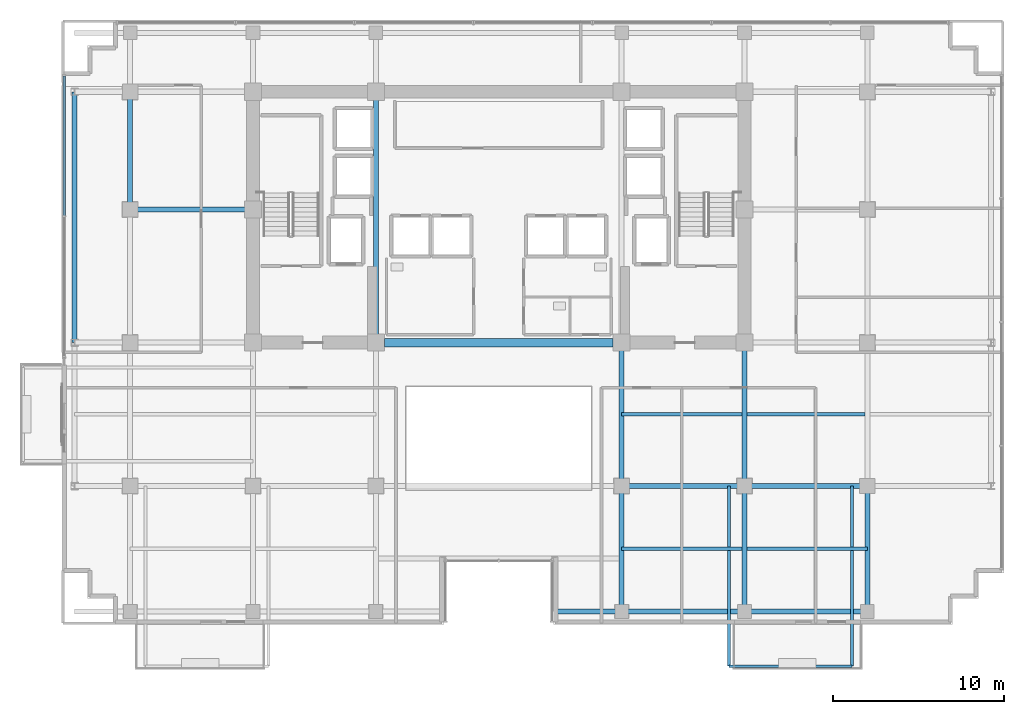
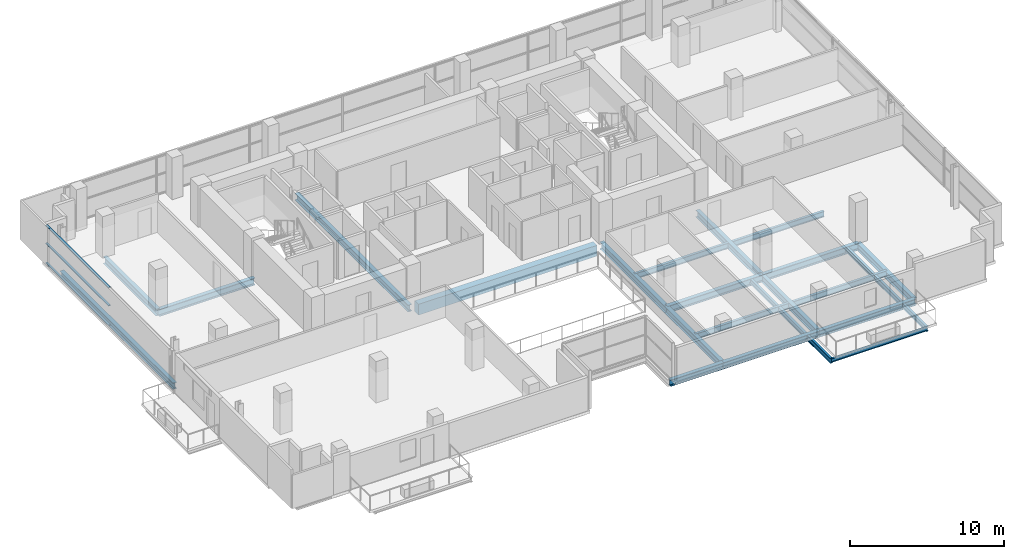
# One storey, part 6 of 23: 22 beams, 3 members, 1 element without a shape of its own.
"""IFC4 building model written with IfcOpenShell, lengths in metres."""

from ifc_helpers import new_model, si_unit, direction, frame, origin, origin_2d, place, context, subcontext, project, spatial, rectangle, hollow_rectangle, i_section, extrude, source, transform, mapped, material, layer, layer_set, material_profile, profile_set, type_object, element, aggregate, save


model = new_model("IFC4")

# Units and contexts
model_context = context("Model", 3, precision=1e-05, world=origin(), true_north=direction((0.0, 1.0)))
body_context = subcontext(model_context, "Body", "Model", "MODEL_VIEW")
ifc_project = project(units=[si_unit("LENGTHUNIT", "METRE"), si_unit("AREAUNIT", "SQUARE_METRE"), si_unit("VOLUMEUNIT", "CUBIC_METRE"), si_unit("PLANEANGLEUNIT", "RADIAN"), si_unit("MASSUNIT", "GRAM", prefix="KILO")], contexts=[model_context])

# Site, building, storey
site_placement = place(None, origin())
site = spatial("IfcSite", under=ifc_project, at=site_placement, CompositionType="ELEMENT")
building_placement = place(site_placement, origin())
building = spatial("IfcBuilding", under=site, at=building_placement, Name="Zarnakvel Exchange Tower", CompositionType="ELEMENT")
storey_placement = place(building_placement, frame((0.0, 0.0, 129.699951171875)))
storey = spatial("IfcBuildingStorey", under=building, at=storey_placement, Name="L36", CompositionType="ELEMENT", Elevation=129.699951171875)

# Beams
ifc_material_1 = material(Name="Steel S355", Category="steel")
ifc_material_profile_1 = material_profile(ifc_material_1, i_section(OverallWidth=0.18994140625, OverallDepth=0.449951171875, WebThickness=0.009521484375, FlangeThickness=0.0146484375, FilletRadius=0.02099609375, at=origin_2d()))
ifc_profile_set_1 = profile_set([ifc_material_profile_1], Name="Steel S355")
beam_type_1 = type_object("IfcBeamType", Name="B-05", PredefinedType="JOIST", material=ifc_profile_set_1)
for number, where, z_axis, x_axis, name in (
    (1, (7.199951171875, -13.27490234375, -0.449951171875), (1.0, 0.0, 0.0), (0.0, 1.0, 0.0), "L36 Composite Floor Secondary Joist"),
    (2, (14.550048828125, -13.27490234375, -0.449951171875), (1.0, 0.0, 0.0), (0.0, 1.0, 0.0), "L36 Composite Floor Secondary Joist"),
    (3, (7.199951171875, -5.39990234375, -0.449951171875), (1.0, 0.0, 0.0), (0.0, 1.0, 0.0), "L36 Composite Floor Secondary Joist"),
):
    element("IfcBeam", number, at=place(storey_placement, frame(where, z_axis=z_axis, x_axis=x_axis)), inside=storey, type_object=beam_type_1, Name=name, PredefinedType="JOIST", context=body_context, shape_type="SweptSolid", body=[
        extrude(i_section(OverallWidth=0.18994140625, OverallDepth=0.449951171875, WebThickness=0.009521484375, FlangeThickness=0.0146484375, FilletRadius=0.02099609375, at=origin_2d()), origin(), (0.0, 0.0, 1.0), 7.050048828125),
    ])
beam_1_placement = place(storey_placement, frame((14.550048828125, -5.39990234375, -0.449951171875), z_axis=(1.0, 0.0, 0.0), x_axis=(0.0, 1.0, 0.0)))
element("IfcBeam", 4, at=beam_1_placement, inside=storey, type_object=beam_type_1, Name="L36 Composite Floor Secondary Joist", PredefinedType="JOIST", context=body_context, shape_type="SweptSolid", body=[
    extrude(i_section(OverallWidth=0.18994140625, OverallDepth=0.449951171875, WebThickness=0.009521484375, FlangeThickness=0.0146484375, FilletRadius=0.02099609375, at=origin_2d()), origin(), (0.0, 0.0, 1.0), 6.89990234375),
])
ifc_material_profile_2 = material_profile(ifc_material_1, i_section(OverallWidth=0.179931640625, OverallDepth=0.39990234375, WebThickness=0.008544921875, FlangeThickness=0.013427734375, FilletRadius=0.02099609375, at=origin_2d()))
ifc_profile_set_2 = profile_set([ifc_material_profile_2], Name="Steel S355")
beam_type_2 = type_object("IfcBeamType", Name="B-06", PredefinedType="JOIST", material=ifc_profile_set_2)
for number, where, z_axis, x_axis, name in (
    (5, (13.5, -9.60009765625, -0.425048828125), (0.0, -1.0, 0.0), (1.0, 0.0, 0.0), "L36 Continuous Back-Spanned Balcony Beam W"),
    (6, (20.699951171875, -9.60009765625, -0.425048828125), (0.0, -1.0, 0.0), (1.0, 0.0, 0.0), "L36 Continuous Back-Spanned Balcony Beam E"),
):
    element("IfcBeam", number, at=place(storey_placement, frame(where, z_axis=z_axis, x_axis=x_axis)), inside=storey, type_object=beam_type_2, Name=name, PredefinedType="JOIST", context=body_context, shape_type="SweptSolid", body=[
        extrude(i_section(OverallWidth=0.179931640625, OverallDepth=0.39990234375, WebThickness=0.008544921875, FlangeThickness=0.013427734375, FilletRadius=0.02099609375, at=origin_2d()), origin(), (0.0, 0.0, 1.0), 10.5498046875),
    ])
ifc_material_profile_3 = material_profile(ifc_material_1, i_section(OverallWidth=0.14990234375, OverallDepth=0.300048828125, WebThickness=0.007080078125, FlangeThickness=0.0107421875, FilletRadius=0.014892578125, at=origin_2d()))
ifc_profile_set_3 = profile_set([ifc_material_profile_3], Name="Steel S355")
beam_type_3 = type_object("IfcBeamType", Name="B-08", PredefinedType="JOIST", material=ifc_profile_set_3)
beam_2_placement = place(storey_placement, frame((13.5, -20.14990234375, -0.375), z_axis=(1.0, 0.0, 0.0), x_axis=(0.0, 1.0, 0.0)))
element("IfcBeam", 7, at=beam_2_placement, inside=storey, type_object=beam_type_3, Name="L36 Balcony Edge Beam", PredefinedType="JOIST", context=body_context, shape_type="SweptSolid", body=[
    extrude(i_section(OverallWidth=0.14990234375, OverallDepth=0.300048828125, WebThickness=0.007080078125, FlangeThickness=0.0107421875, FilletRadius=0.014892578125, at=origin_2d()), origin(), (0.0, 0.0, 1.0), 7.199951171875),
])
ifc_material_2 = material(Name="Concrete C60/75", Category="concrete")
ifc_material_profile_4 = material_profile(ifc_material_2, rectangle(XDim=0.5, YDim=0.85009765625, at=origin_2d()))
ifc_profile_set_4 = profile_set([ifc_material_profile_4], Name="Concrete C60/75")
beam_type_4 = type_object("IfcBeamType", Name="CB-02", PredefinedType="LINTEL", material=ifc_profile_set_4)
beam_3_placement = place(storey_placement, frame((-6.699951171875, -1.199951171875, -0.64990234375), z_axis=(1.0, 0.0, 0.0), x_axis=(0.0, 1.0, 0.0)))
element("IfcBeam", 8, at=beam_3_placement, inside=storey, type_object=beam_type_4, Name="L36 Rear Core South Coupling Beam (CB-02)", PredefinedType="LINTEL", context=body_context, shape_type="SweptSolid", body=[
    extrude(rectangle(XDim=0.5, YDim=0.85009765625, at=origin_2d()), origin(), (0.0, 0.0, 1.0), 13.39990234375),
])
ifc_material_profile_5 = material_profile(ifc_material_1, i_section(OverallWidth=0.300048828125, OverallDepth=0.550048828125, WebThickness=0.014892578125, FlangeThickness=0.029052734375, FilletRadius=0.027099609375, at=origin_2d()))
ifc_profile_set_5 = profile_set([ifc_material_profile_5], Name="Steel S355")
beam_type_5 = type_object("IfcBeamType", Name="G-05", PredefinedType="BEAM", material=ifc_profile_set_5)
beam_4_placement = place(storey_placement, frame((7.199951171875, -9.60009765625, -0.5), z_axis=(1.0, 0.0, 0.0), x_axis=(0.0, 1.0, 0.0)))
element("IfcBeam", 9, at=beam_4_placement, inside=storey, type_object=beam_type_5, Name="L36 Tower E-W Frame Beam", PredefinedType="BEAM", context=body_context, shape_type="SweptSolid", body=[
    extrude(i_section(OverallWidth=0.300048828125, OverallDepth=0.550048828125, WebThickness=0.014892578125, FlangeThickness=0.029052734375, FilletRadius=0.027099609375, at=origin_2d()), origin(), (0.0, 0.0, 1.0), 7.199951171875),
])
for number, where, z_axis, x_axis, name in (
    (10, (14.39990234375, -9.60009765625, -0.5), (1.0, 0.0, 0.0), (0.0, 1.0, 0.0), "L36 Tower E-W Frame Beam"),
    (11, (-21.60009765625, 6.60009765625, -0.5), (1.0, 0.0, 0.0), (0.0, 1.0, 0.0), "L36 Tower E-W Frame Beam"),
):
    element("IfcBeam", number, at=place(storey_placement, frame(where, z_axis=z_axis, x_axis=x_axis)), inside=storey, type_object=beam_type_5, Name=name, PredefinedType="BEAM", context=body_context, shape_type="SweptSolid", body=[
        extrude(i_section(OverallWidth=0.300048828125, OverallDepth=0.550048828125, WebThickness=0.014892578125, FlangeThickness=0.029052734375, FilletRadius=0.027099609375, at=origin_2d()), origin(), (0.0, 0.0, 1.0), 7.2001953125),
    ])
beam_5_placement = place(storey_placement, frame((-21.60009765625, 6.60009765625, -0.5), z_axis=(0.0, 1.0, 0.0), x_axis=(-1.0, 0.0, 0.0)))
element("IfcBeam", 12, at=beam_5_placement, inside=storey, type_object=beam_type_5, Name="L36 Tower N-S Frame Beam", PredefinedType="BEAM", context=body_context, shape_type="SweptSolid", body=[
    extrude(i_section(OverallWidth=0.300048828125, OverallDepth=0.550048828125, WebThickness=0.014892578125, FlangeThickness=0.029052734375, FilletRadius=0.027099609375, at=origin_2d()), origin(), (0.0, 0.0, 1.0), 6.89990234375),
])
beam_6_placement = place(storey_placement, frame((-7.199951171875, -1.199951171875, -0.5), z_axis=(0.0, 1.0, 0.0), x_axis=(-1.0, 0.0, 0.0)))
element("IfcBeam", 13, at=beam_6_placement, inside=storey, type_object=beam_type_5, Name="L36 Tower N-S Frame Beam", PredefinedType="BEAM", context=body_context, shape_type="SweptSolid", body=[
    extrude(i_section(OverallWidth=0.300048828125, OverallDepth=0.550048828125, WebThickness=0.014892578125, FlangeThickness=0.029052734375, FilletRadius=0.027099609375, at=origin_2d()), origin(), (0.0, 0.0, 1.0), 14.699951171875),
])
beam_7_placement = place(storey_placement, frame((7.199951171875, -16.949951171875, -0.5), z_axis=(0.0, 1.0, 0.0), x_axis=(-1.0, 0.0, 0.0)))
element("IfcBeam", 14, at=beam_7_placement, inside=storey, type_object=beam_type_5, Name="L36 Tower N-S Frame Beam", PredefinedType="BEAM", context=body_context, shape_type="SweptSolid", body=[
    extrude(i_section(OverallWidth=0.300048828125, OverallDepth=0.550048828125, WebThickness=0.014892578125, FlangeThickness=0.029052734375, FilletRadius=0.027099609375, at=origin_2d()), origin(), (0.0, 0.0, 1.0), 7.349853515625),
])
beam_8_placement = place(storey_placement, frame((7.199951171875, -9.60009765625, -0.5), z_axis=(0.0, 1.0, 0.0), x_axis=(-1.0, 0.0, 0.0)))
element("IfcBeam", 15, at=beam_8_placement, inside=storey, type_object=beam_type_5, Name="L36 Tower N-S Frame Beam", PredefinedType="BEAM", context=body_context, shape_type="SweptSolid", body=[
    extrude(i_section(OverallWidth=0.300048828125, OverallDepth=0.550048828125, WebThickness=0.014892578125, FlangeThickness=0.029052734375, FilletRadius=0.027099609375, at=origin_2d()), origin(), (0.0, 0.0, 1.0), 8.400146484375),
])
beam_9_placement = place(storey_placement, frame((14.39990234375, -16.949951171875, -0.5), z_axis=(0.0, 1.0, 0.0), x_axis=(-1.0, 0.0, 0.0)))
element("IfcBeam", 16, at=beam_9_placement, inside=storey, type_object=beam_type_5, Name="L36 Tower N-S Frame Beam", PredefinedType="BEAM", context=body_context, shape_type="SweptSolid", body=[
    extrude(i_section(OverallWidth=0.300048828125, OverallDepth=0.550048828125, WebThickness=0.014892578125, FlangeThickness=0.029052734375, FilletRadius=0.027099609375, at=origin_2d()), origin(), (0.0, 0.0, 1.0), 7.349853515625),
])
beam_10_placement = place(storey_placement, frame((14.39990234375, -9.60009765625, -0.5), z_axis=(0.0, 1.0, 0.0), x_axis=(-1.0, 0.0, 0.0)))
element("IfcBeam", 17, at=beam_10_placement, inside=storey, type_object=beam_type_5, Name="L36 Tower N-S Frame Beam", PredefinedType="BEAM", context=body_context, shape_type="SweptSolid", body=[
    extrude(i_section(OverallWidth=0.300048828125, OverallDepth=0.550048828125, WebThickness=0.014892578125, FlangeThickness=0.029052734375, FilletRadius=0.027099609375, at=origin_2d()), origin(), (0.0, 0.0, 1.0), 8.400146484375),
])
beam_11_placement = place(storey_placement, frame((21.60009765625, -16.949951171875, -0.5), z_axis=(0.0, 1.0, 0.0), x_axis=(-1.0, 0.0, 0.0)))
element("IfcBeam", 18, at=beam_11_placement, inside=storey, type_object=beam_type_5, Name="L36 Tower N-S Frame Beam", PredefinedType="BEAM", context=body_context, shape_type="SweptSolid", body=[
    extrude(i_section(OverallWidth=0.300048828125, OverallDepth=0.550048828125, WebThickness=0.014892578125, FlangeThickness=0.029052734375, FilletRadius=0.027099609375, at=origin_2d()), origin(), (0.0, 0.0, 1.0), 7.349853515625),
])
ifc_material_profile_6 = material_profile(ifc_material_1, i_section(OverallWidth=0.300048828125, OverallDepth=0.5, WebThickness=0.014404296875, FlangeThickness=0.028076171875, FilletRadius=0.027099609375, at=origin_2d()))
ifc_profile_set_6 = profile_set([ifc_material_profile_6], Name="Steel S355")
beam_type_6 = type_object("IfcBeamType", Name="SP-02", PredefinedType="SPANDREL", material=ifc_profile_set_6)
beam_12_placement = place(storey_placement, frame((3.199951171875, -16.949951171875, -0.474853515625), z_axis=(1.0, 0.0, 0.0), x_axis=(0.0, 1.0, 0.0)))
element("IfcBeam", 19, at=beam_12_placement, inside=storey, type_object=beam_type_6, Name="L36 South Slot East Jamb Spandrel", PredefinedType="SPANDREL", context=body_context, shape_type="SweptSolid", body=[
    extrude(i_section(OverallWidth=0.300048828125, OverallDepth=0.5, WebThickness=0.014404296875, FlangeThickness=0.028076171875, FilletRadius=0.027099609375, at=origin_2d()), origin(), (0.0, 0.0, 1.0), 4.0),
])
beam_13_placement = place(storey_placement, frame((7.199951171875, -16.949951171875, -0.474853515625), z_axis=(1.0, 0.0, 0.0), x_axis=(0.0, 1.0, 0.0)))
element("IfcBeam", 20, at=beam_13_placement, inside=storey, type_object=beam_type_6, Name="L36 Tower E-W Frame Beam", PredefinedType="SPANDREL", context=body_context, shape_type="SweptSolid", body=[
    extrude(i_section(OverallWidth=0.300048828125, OverallDepth=0.5, WebThickness=0.014404296875, FlangeThickness=0.028076171875, FilletRadius=0.027099609375, at=origin_2d()), origin(), (0.0, 0.0, 1.0), 7.199951171875),
])
beam_14_placement = place(storey_placement, frame((14.39990234375, -16.949951171875, -0.474853515625), z_axis=(1.0, 0.0, 0.0), x_axis=(0.0, 1.0, 0.0)))
element("IfcBeam", 21, at=beam_14_placement, inside=storey, type_object=beam_type_6, Name="L36 Tower E-W Frame Beam", PredefinedType="SPANDREL", context=body_context, shape_type="SweptSolid", body=[
    extrude(i_section(OverallWidth=0.300048828125, OverallDepth=0.5, WebThickness=0.014404296875, FlangeThickness=0.028076171875, FilletRadius=0.027099609375, at=origin_2d()), origin(), (0.0, 0.0, 1.0), 7.2001953125),
])
beam_15_placement = place(storey_placement, frame((-24.85009765625, -1.199951171875, -0.474853515625), z_axis=(0.0, 1.0, 0.0), x_axis=(-1.0, 0.0, 0.0)))
element("IfcBeam", 22, at=beam_15_placement, inside=storey, type_object=beam_type_6, Name="L36 Tower N-S Frame Beam", PredefinedType="SPANDREL", context=body_context, shape_type="SweptSolid", body=[
    extrude(i_section(OverallWidth=0.300048828125, OverallDepth=0.5, WebThickness=0.014404296875, FlangeThickness=0.028076171875, FilletRadius=0.027099609375, at=origin_2d()), origin(), (0.0, 0.0, 1.0), 14.699951171875),
])

# Curtain wall, members
ifc_material_3 = material(Name="Architectural Bronze Anodised Aluminium", Category="aluminium")
ifc_layer = layer(ifc_material_3, 0.199951171875)
ifc_layer_set = layer_set([ifc_layer], Name="Architectural Bronze Anodised Aluminium")
curtain_wall_type = type_object("IfcCurtainWallType", Name="CW-04", PredefinedType="NOTDEFINED", material=ifc_layer_set)
curtain_wall_placement = place(storey_placement, origin())
curtain_wall = element("IfcCurtainWall", 23, at=curtain_wall_placement, inside=storey, type_object=curtain_wall_type, Name="L36 Curtain Wall CW-L36-WN (CW-04)", PredefinedType="NOTDEFINED")
ifc_material_profile_7 = material_profile(ifc_material_3, hollow_rectangle(XDim=0.159912109375, YDim=0.074951171875, WallThickness=0.00390625, at=origin_2d()))
ifc_profile_set_7 = profile_set([ifc_material_profile_7], Name="Architectural Bronze Anodised Aluminium")
member_type = type_object("IfcMemberType", Name="CWT-04", PredefinedType="USERDEFINED", material=ifc_profile_set_7)
shared_shape = source(origin(), body_context, "Body", "SweptSolid", [
    extrude(hollow_rectangle(XDim=0.159912109375, YDim=0.074951171875, WallThickness=0.00390625, at=origin_2d()), origin(), (0.0, 0.0, 1.0), 8.1875),
])
member_1_placement = place(storey_placement, frame((-25.4599609375, 6.237548828125, 0.03759765625), z_axis=(0.0, 1.0, 0.0), x_axis=(-1.0, 0.0, 0.0)))
member_1 = element("IfcMember", 24, at=member_1_placement, type_object=member_type, Name="CW-04 transom 2.1", ObjectType="TRANSOM", PredefinedType="USERDEFINED", context=body_context, shape_type="MappedRepresentation", body=[
    mapped(shared_shape, transform((0.0, 0.0, 0.0), x_axis=(1.0, 0.0, 0.0), y_axis=(0.0, 1.0, 0.0), z_axis=(0.0, 0.0, 1.0), scale=1.0)),
])
member_2_placement = place(storey_placement, frame((-25.4599609375, 6.237548828125, 1.588623046875), z_axis=(0.0, 1.0, 0.0), x_axis=(-1.0, 0.0, 0.0)))
member_2 = element("IfcMember", 25, at=member_2_placement, type_object=member_type, Name="CW-04 transom 2.2", ObjectType="TRANSOM", PredefinedType="USERDEFINED", context=body_context, shape_type="MappedRepresentation", body=[
    mapped(shared_shape, transform((0.0, 0.0, 0.0), x_axis=(1.0, 0.0, 0.0), y_axis=(0.0, 1.0, 0.0), z_axis=(0.0, 0.0, 1.0), scale=1.0)),
])
member_3_placement = place(storey_placement, frame((-25.4599609375, 6.237548828125, 3.017578125), z_axis=(0.0, 1.0, 0.0), x_axis=(-1.0, 0.0, 0.0)))
member_3 = element("IfcMember", 26, at=member_3_placement, type_object=member_type, Name="CW-04 transom 2.3", ObjectType="TRANSOM", PredefinedType="USERDEFINED", context=body_context, shape_type="MappedRepresentation", body=[
    mapped(shared_shape, transform((0.0, 0.0, 0.0), x_axis=(1.0, 0.0, 0.0), y_axis=(0.0, 1.0, 0.0), z_axis=(0.0, 0.0, 1.0), scale=1.0)),
])
aggregate(curtain_wall, [member_1, member_2, member_3])

save(model, "model.ifc")
